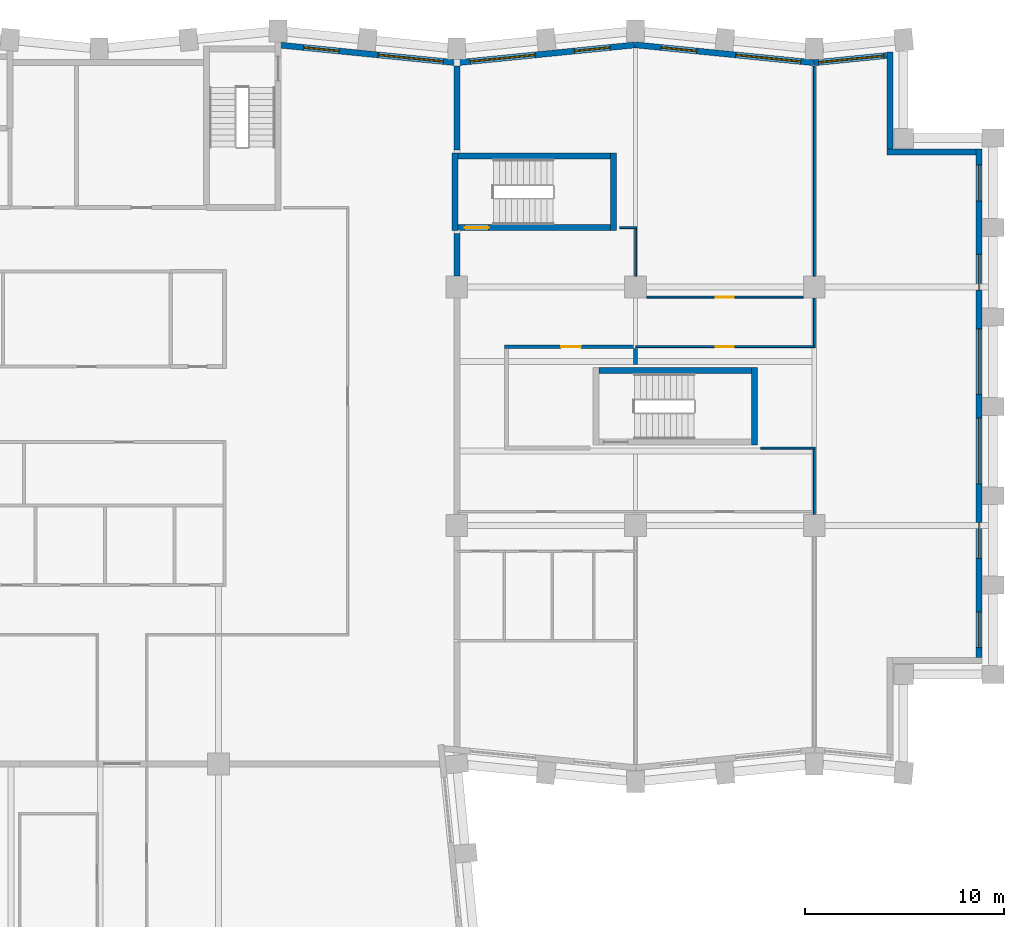
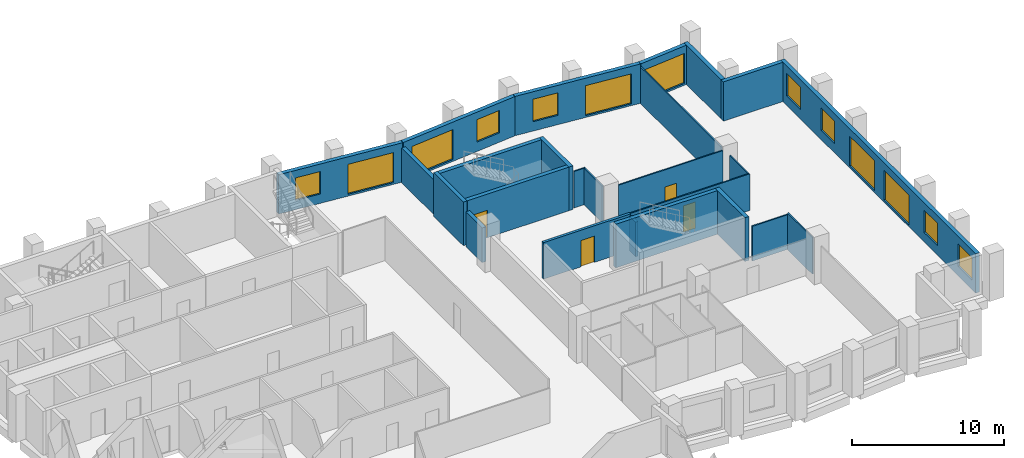
# One storey, part 7 of 10: 25 walls, 13 windows, 4 doors, 17 openings.
"""IFC4 building model written with IfcOpenShell, lengths in metres."""

from ifc_helpers import new_model, si_unit, direction, frame, frame_2d, origin, place, context, subcontext, project, spatial, rectangle, extrude, material, layer, layer_set, type_object, element, fill, save


model = new_model("IFC4")

# Units and contexts
model_context = context("Model", 3, precision=1e-05, world=origin(), true_north=direction((0.0, 1.0)))
body_context = subcontext(model_context, "Body", "Model", "MODEL_VIEW")
ifc_project = project(units=[si_unit("LENGTHUNIT", "METRE"), si_unit("AREAUNIT", "SQUARE_METRE"), si_unit("VOLUMEUNIT", "CUBIC_METRE"), si_unit("PLANEANGLEUNIT", "RADIAN"), si_unit("MASSUNIT", "GRAM", prefix="KILO")], contexts=[model_context])

# Site, building, storey
site_placement = place(None, origin())
site = spatial("IfcSite", under=ifc_project, at=site_placement, CompositionType="ELEMENT")
building_placement = place(site_placement, origin())
building = spatial("IfcBuilding", under=site, at=building_placement, Name="Brondeck Convention Tower", CompositionType="ELEMENT")
storey_placement = place(building_placement, frame((0.0, 0.0, 147.199951171875)))
storey = spatial("IfcBuildingStorey", under=building, at=storey_placement, Name="L35", CompositionType="ELEMENT", Elevation=147.199951171875)

# Walls
ifc_material_1 = material(Name="Concrete compartment wall C30/37", Category="concrete")
ifc_layer_1 = layer(ifc_material_1, 0.300048828125)
ifc_layer_set_1 = layer_set([ifc_layer_1], Name="Compartment wall 300")
wall_type_1 = type_object("IfcWallType", Name="Compartment wall 300", PredefinedType="PARTITIONING", material=ifc_layer_set_1)
wall_1_placement = place(storey_placement, frame((36.0, 51.554931640625, 0.0), z_axis=(0.0, 0.0, 1.0), x_axis=(0.0, 1.0, 0.0)))
element("IfcWall", 1, at=wall_1_placement, inside=storey, type_object=wall_type_1, Name="FLR-L35-W062", PredefinedType="PARTITIONING", context=body_context, shape_type="SweptSolid", body=[
    extrude(rectangle(XDim=2.14501953125, YDim=0.300048828125, at=frame_2d((1.072509765625, 0.0))), origin(), (0.0, 0.0, 1.0), 2.780029296875),
])
wall_2_placement = place(storey_placement, frame((36.0, 57.89990234375, 0.0), z_axis=(0.0, 0.0, 1.0), x_axis=(0.0, 1.0, 0.0)))
element("IfcWall", 2, at=wall_2_placement, inside=storey, type_object=wall_type_1, Name="FLR-L35-W068", PredefinedType="PARTITIONING", context=body_context, shape_type="SweptSolid", body=[
    extrude(rectangle(XDim=4.22607421875, YDim=0.300048828125, at=frame_2d((2.113037109375, 0.0))), origin(), (0.0, 0.0, 1.0), 2.780029296875),
])

# Wall, openings, windows
ifc_material_2 = material(Name="Precast concrete C50/60 bronze finish", Category="concrete")
ifc_layer_2 = layer(ifc_material_2, 0.070068359375, Name="Bronze precast facing")
ifc_material_3 = material(Name="Mineral wool")
ifc_layer_3 = layer(ifc_material_3, 0.159912109375, Name="Insulation")
ifc_material_4 = material(Name="Concrete C35/45", Category="concrete")
ifc_layer_4 = layer(ifc_material_4, 0.070068359375, Name="Backing")
ifc_layer_set_2 = layer_set([ifc_layer_2, ifc_layer_3, ifc_layer_4], Name="External infill wall, precast concrete C50/60 bronze facing")
wall_type_2 = type_object("IfcWallType", Name="External infill wall, precast concrete C50/60 bronze facing", PredefinedType="SOLIDWALL", material=ifc_layer_set_2)
wall_3_placement = place(storey_placement, frame((62.300048828125, 57.949951171875, 0.0), z_axis=(0.0, 0.0, 1.0), x_axis=(0.0, -1.0, 0.0)))
wall_3 = element("IfcWall", 3, at=wall_3_placement, inside=storey, type_object=wall_type_2, Name="ENV-EW-L35-P1-A-E63-01", PredefinedType="SOLIDWALL", context=body_context, shape_type="SweptSolid", body=[
    extrude(rectangle(XDim=25.60205078125, YDim=0.300048828125, at=frame_2d((12.801025390625, 0.0))), origin(), (0.0, 0.0, 1.0), 3.150146484375),
])
opening_1_placement = place(wall_3_placement, frame((0.800048828125, 0.0, 0.75)))
opening_1 = element("IfcOpeningElement", 4, at=opening_1_placement, cuts=wall_3, Name="Opening W10", PredefinedType="OPENING", context=body_context, shape_type="SweptSolid", body=[
    extrude(rectangle(XDim=1.800048828125, YDim=1.800048828125, at=frame_2d((0.89990234375, 0.89990234375))), frame((0.0, 0.159912109375, 0.0), z_axis=(0.0, -1.0, 0.0), x_axis=(1.0, 0.0, 0.0)), (0.0, 0.0, 1.0), 0.320068359375),
])
opening_2_placement = place(wall_3_placement, frame((5.300048828125, 0.0, 0.75)))
opening_2 = element("IfcOpeningElement", 5, at=opening_2_placement, cuts=wall_3, Name="Opening W10", PredefinedType="OPENING", context=body_context, shape_type="SweptSolid", body=[
    extrude(rectangle(XDim=1.800048828125, YDim=1.800048828125, at=frame_2d((0.89990234375, 0.89990234375))), frame((0.0, 0.159912109375, 0.0), z_axis=(0.0, -1.0, 0.0), x_axis=(1.0, 0.0, 0.0)), (0.0, 0.0, 1.0), 0.320068359375),
])
opening_3_placement = place(wall_3_placement, frame((9.050048828125, 0.0, 0.14990234375)))
opening_3 = element("IfcOpeningElement", 6, at=opening_3_placement, cuts=wall_3, Name="Opening W9", PredefinedType="OPENING", context=body_context, shape_type="SweptSolid", body=[
    extrude(rectangle(XDim=3.300048828125, YDim=2.39990234375, at=frame_2d((1.64990234375, 1.199951171875))), frame((0.0, 0.159912109375, 0.0), z_axis=(0.0, -1.0, 0.0), x_axis=(1.0, 0.0, 0.0)), (0.0, 0.0, 1.0), 0.320068359375),
])
opening_4_placement = place(wall_3_placement, frame((13.550048828125, 0.0, 0.14990234375)))
opening_4 = element("IfcOpeningElement", 7, at=opening_4_placement, cuts=wall_3, Name="Opening W9", PredefinedType="OPENING", context=body_context, shape_type="SweptSolid", body=[
    extrude(rectangle(XDim=3.300048828125, YDim=2.39990234375, at=frame_2d((1.64990234375, 1.199951171875))), frame((0.0, 0.159912109375, 0.0), z_axis=(0.0, -1.0, 0.0), x_axis=(1.0, 0.0, 0.0)), (0.0, 0.0, 1.0), 0.320068359375),
])
opening_5_placement = place(wall_3_placement, frame((18.800048828125, 0.0, 0.75)))
opening_5 = element("IfcOpeningElement", 8, at=opening_5_placement, cuts=wall_3, Name="Opening W10", PredefinedType="OPENING", context=body_context, shape_type="SweptSolid", body=[
    extrude(rectangle(XDim=1.800048828125, YDim=1.800048828125, at=frame_2d((0.89990234375, 0.89990234375))), frame((0.0, 0.159912109375, 0.0), z_axis=(0.0, -1.0, 0.0), x_axis=(1.0, 0.0, 0.0)), (0.0, 0.0, 1.0), 0.320068359375),
])
opening_6_placement = place(wall_3_placement, frame((23.300048828125, 0.0, 0.75)))
opening_6 = element("IfcOpeningElement", 9, at=opening_6_placement, cuts=wall_3, Name="Opening W10", PredefinedType="OPENING", context=body_context, shape_type="SweptSolid", body=[
    extrude(rectangle(XDim=1.800048828125, YDim=1.800048828125, at=frame_2d((0.89990234375, 0.89990234375))), frame((0.0, 0.159912109375, 0.0), z_axis=(0.0, -1.0, 0.0), x_axis=(1.0, 0.0, 0.0)), (0.0, 0.0, 1.0), 0.320068359375),
])
ifc_material_5 = material(Name="Bronze tinted double glazing", Category="glass")
window_type_1 = type_object("IfcWindowType", Name="Glazed flute window, bronze tinted", PartitioningType="SINGLE_PANEL", PredefinedType="WINDOW", material=ifc_material_5)
window_1_placement = place(opening_3_placement, origin())
window_1 = element("IfcWindow", 10, at=window_1_placement, inside=storey, type_object=window_type_1, Name="ENV-WN-L35-P1-A-E63-04", OverallHeight=2.39990234375, OverallWidth=3.300048828125, PartitioningType="SINGLE_PANEL", PredefinedType="WINDOW", context=body_context, shape_type="SweptSolid", body=[
    extrude(rectangle(XDim=3.300048828125, YDim=2.39990234375, at=frame_2d((1.64990234375, 1.199951171875))), frame((0.0, 0.030029296875, 0.0), z_axis=(0.0, -1.0, 0.0), x_axis=(1.0, 0.0, 0.0)), (0.0, 0.0, 1.0), 0.06005859375),
])
fill(opening_3, window_1)
window_2_placement = place(opening_4_placement, origin())
window_2 = element("IfcWindow", 11, at=window_2_placement, inside=storey, type_object=window_type_1, Name="ENV-WN-L35-P1-A-E63-03", OverallHeight=2.39990234375, OverallWidth=3.300048828125, PartitioningType="SINGLE_PANEL", PredefinedType="WINDOW", context=body_context, shape_type="SweptSolid", body=[
    extrude(rectangle(XDim=3.300048828125, YDim=2.39990234375, at=frame_2d((1.64990234375, 1.199951171875))), frame((0.0, 0.030029296875, 0.0), z_axis=(0.0, -1.0, 0.0), x_axis=(1.0, 0.0, 0.0)), (0.0, 0.0, 1.0), 0.06005859375),
])
fill(opening_4, window_2)
window_type_2 = type_object("IfcWindowType", Name="Punched window, bronze tinted", PartitioningType="SINGLE_PANEL", PredefinedType="WINDOW", material=ifc_material_5)
window_3_placement = place(opening_1_placement, origin())
window_3 = element("IfcWindow", 12, at=window_3_placement, inside=storey, type_object=window_type_2, Name="ENV-WN-L35-P1-A-E63-06", OverallHeight=1.800048828125, OverallWidth=1.800048828125, PartitioningType="SINGLE_PANEL", PredefinedType="WINDOW", context=body_context, shape_type="SweptSolid", body=[
    extrude(rectangle(XDim=1.800048828125, YDim=1.800048828125, at=frame_2d((0.89990234375, 0.89990234375))), frame((0.0, 0.030029296875, 0.0), z_axis=(0.0, -1.0, 0.0), x_axis=(1.0, 0.0, 0.0)), (0.0, 0.0, 1.0), 0.06005859375),
])
fill(opening_1, window_3)
window_4_placement = place(opening_2_placement, origin())
window_4 = element("IfcWindow", 13, at=window_4_placement, inside=storey, type_object=window_type_2, Name="ENV-WN-L35-P1-A-E63-05", OverallHeight=1.800048828125, OverallWidth=1.800048828125, PartitioningType="SINGLE_PANEL", PredefinedType="WINDOW", context=body_context, shape_type="SweptSolid", body=[
    extrude(rectangle(XDim=1.800048828125, YDim=1.800048828125, at=frame_2d((0.89990234375, 0.89990234375))), frame((0.0, 0.030029296875, 0.0), z_axis=(0.0, -1.0, 0.0), x_axis=(1.0, 0.0, 0.0)), (0.0, 0.0, 1.0), 0.06005859375),
])
fill(opening_2, window_4)
window_5_placement = place(opening_5_placement, origin())
window_5 = element("IfcWindow", 14, at=window_5_placement, inside=storey, type_object=window_type_2, Name="ENV-WN-L35-P1-A-E63-02", OverallHeight=1.800048828125, OverallWidth=1.800048828125, PartitioningType="SINGLE_PANEL", PredefinedType="WINDOW", context=body_context, shape_type="SweptSolid", body=[
    extrude(rectangle(XDim=1.800048828125, YDim=1.800048828125, at=frame_2d((0.89990234375, 0.89990234375))), frame((0.0, 0.030029296875, 0.0), z_axis=(0.0, -1.0, 0.0), x_axis=(1.0, 0.0, 0.0)), (0.0, 0.0, 1.0), 0.06005859375),
])
fill(opening_5, window_5)
window_6_placement = place(opening_6_placement, origin())
window_6 = element("IfcWindow", 15, at=window_6_placement, inside=storey, type_object=window_type_2, Name="ENV-WN-L35-P1-A-E63-01", OverallHeight=1.800048828125, OverallWidth=1.800048828125, PartitioningType="SINGLE_PANEL", PredefinedType="WINDOW", context=body_context, shape_type="SweptSolid", body=[
    extrude(rectangle(XDim=1.800048828125, YDim=1.800048828125, at=frame_2d((0.89990234375, 0.89990234375))), frame((0.0, 0.030029296875, 0.0), z_axis=(0.0, -1.0, 0.0), x_axis=(1.0, 0.0, 0.0)), (0.0, 0.0, 1.0), 0.06005859375),
])
fill(opening_6, window_6)

# Walls
wall_4_placement = place(storey_placement, frame((57.64990234375, 57.800048828125, 0.0), z_axis=(0.0, 0.0, 1.0), x_axis=(1.0, 0.0, 0.0)))
element("IfcWall", 16, at=wall_4_placement, inside=storey, type_object=wall_type_2, Name="ENV-EW-L35-P1-NC-NEA63-01", PredefinedType="SOLIDWALL", context=body_context, shape_type="SweptSolid", body=[
    extrude(rectangle(XDim=4.502197265625, YDim=0.300048828125, at=frame_2d((2.2509765625, 0.0))), origin(), (0.0, 0.0, 1.0), 3.150146484375),
])
wall_5_placement = place(storey_placement, frame((57.800048828125, 62.84228515625, 0.0), z_axis=(0.0, 0.0, 1.0), x_axis=(0.0, -1.0, 0.0)))
element("IfcWall", 17, at=wall_5_placement, inside=storey, type_object=wall_type_2, Name="ENV-EW-L35-P1-NC-NEA63-02", PredefinedType="SOLIDWALL", context=body_context, shape_type="SweptSolid", body=[
    extrude(rectangle(XDim=4.894287109375, YDim=0.300048828125, at=frame_2d((2.447265625, 0.0))), origin(), (0.0, 0.0, 1.0), 3.150146484375),
])

# Wall, opening, window
wall_6_placement = place(storey_placement, frame((53.985107421875, 62.294921875, 0.0), z_axis=(0.0, 0.0, 1.0), x_axis=(0.99503719021, 0.099503719021, 0.0)))
wall_6 = element("IfcWall", 18, at=wall_6_placement, inside=storey, type_object=wall_type_2, Name="ENV-EW-L35-P1-A-N-12", PredefinedType="SOLIDWALL", context=body_context, shape_type="SweptSolid", body=[
    extrude(rectangle(XDim=3.677978515625, YDim=0.300048828125, at=frame_2d((1.8388671875, 0.0))), origin(), (0.0, 0.0, 1.0), 3.150146484375),
])
opening_7_placement = place(wall_6_placement, frame((0.22802734375, 0.0, 0.14990234375)))
opening_7 = element("IfcOpeningElement", 19, at=opening_7_placement, cuts=wall_6, Name="Opening W9", PredefinedType="OPENING", context=body_context, shape_type="SweptSolid", body=[
    extrude(rectangle(XDim=3.300048828125, YDim=2.39990234375, at=frame_2d((1.64990234375, 1.199951171875))), frame((0.0, 0.159912109375, 0.0), z_axis=(0.0, -1.0, 0.0), x_axis=(1.0, 0.0, 0.0)), (0.0, 0.0, 1.0), 0.320068359375),
])
window_7_placement = place(opening_7_placement, origin())
window_7 = element("IfcWindow", 20, at=window_7_placement, inside=storey, type_object=window_type_1, Name="ENV-WN-L35-P1-A-N-12", OverallHeight=2.39990234375, OverallWidth=3.300048828125, PartitioningType="SINGLE_PANEL", PredefinedType="WINDOW", context=body_context, shape_type="SweptSolid", body=[
    extrude(rectangle(XDim=3.300048828125, YDim=2.39990234375, at=frame_2d((1.64990234375, 1.199951171875))), frame((0.0, 0.030029296875, 0.0), z_axis=(0.0, -1.0, 0.0), x_axis=(1.0, 0.0, 0.0)), (0.0, 0.0, 1.0), 0.06005859375),
])
fill(opening_7, window_7)

# Wall, openings, windows
wall_7_placement = place(storey_placement, frame((44.985107421875, 63.197998046875, 0.0), z_axis=(0.0, 0.0, 1.0), x_axis=(0.995037993253, -0.099495688264, 0.0)))
wall_7 = element("IfcWall", 21, at=wall_7_placement, inside=storey, type_object=wall_type_2, Name="ENV-EW-L35-P1-A-N-11", PredefinedType="SOLIDWALL", context=body_context, shape_type="SweptSolid", body=[
    extrude(rectangle(XDim=9.030029296875, YDim=0.300048828125, at=frame_2d((4.51513671875, 0.0))), origin(), (0.0, 0.0, 1.0), 3.150146484375),
])
opening_8_placement = place(wall_7_placement, frame((1.30615234375, 0.0, 0.75)))
opening_8 = element("IfcOpeningElement", 22, at=opening_8_placement, cuts=wall_7, Name="Opening W10", PredefinedType="OPENING", context=body_context, shape_type="SweptSolid", body=[
    extrude(rectangle(XDim=1.800048828125, YDim=1.800048828125, at=frame_2d((0.89990234375, 0.89990234375))), frame((0.0, 0.159912109375, 0.0), z_axis=(0.0, -1.0, 0.0), x_axis=(1.0, 0.0, 0.0)), (0.0, 0.0, 1.0), 0.320068359375),
])
opening_9_placement = place(wall_7_placement, frame((5.07861328125, 0.0, 0.14990234375)))
opening_9 = element("IfcOpeningElement", 23, at=opening_9_placement, cuts=wall_7, Name="Opening W9", PredefinedType="OPENING", context=body_context, shape_type="SweptSolid", body=[
    extrude(rectangle(XDim=3.300048828125, YDim=2.39990234375, at=frame_2d((1.64990234375, 1.199951171875))), frame((0.0, 0.159912109375, 0.0), z_axis=(0.0, -1.0, 0.0), x_axis=(1.0, 0.0, 0.0)), (0.0, 0.0, 1.0), 0.320068359375),
])
window_8_placement = place(opening_9_placement, origin())
window_8 = element("IfcWindow", 24, at=window_8_placement, inside=storey, type_object=window_type_1, Name="ENV-WN-L35-P1-A-N-11", OverallHeight=2.39990234375, OverallWidth=3.300048828125, PartitioningType="SINGLE_PANEL", PredefinedType="WINDOW", context=body_context, shape_type="SweptSolid", body=[
    extrude(rectangle(XDim=3.300048828125, YDim=2.39990234375, at=frame_2d((1.64990234375, 1.199951171875))), frame((0.0, 0.030029296875, 0.0), z_axis=(0.0, -1.0, 0.0), x_axis=(1.0, 0.0, 0.0)), (0.0, 0.0, 1.0), 0.06005859375),
])
fill(opening_9, window_8)
window_9_placement = place(opening_8_placement, origin())
window_9 = element("IfcWindow", 25, at=window_9_placement, inside=storey, type_object=window_type_2, Name="ENV-WN-L35-P1-A-N-10", OverallHeight=1.800048828125, OverallWidth=1.800048828125, PartitioningType="SINGLE_PANEL", PredefinedType="WINDOW", context=body_context, shape_type="SweptSolid", body=[
    extrude(rectangle(XDim=1.800048828125, YDim=1.800048828125, at=frame_2d((0.89990234375, 0.89990234375))), frame((0.0, 0.030029296875, 0.0), z_axis=(0.0, -1.0, 0.0), x_axis=(1.0, 0.0, 0.0)), (0.0, 0.0, 1.0), 0.06005859375),
])
fill(opening_8, window_9)

wall_8_placement = place(storey_placement, frame((35.985107421875, 62.294921875, 0.0), z_axis=(0.0, 0.0, 1.0), x_axis=(0.995035316196, 0.099522457379, 0.0)))
wall_8 = element("IfcWall", 26, at=wall_8_placement, inside=storey, type_object=wall_type_2, Name="ENV-EW-L35-P1-A-N-09", PredefinedType="SOLIDWALL", context=body_context, shape_type="SweptSolid", body=[
    extrude(rectangle(XDim=9.030029296875, YDim=0.300048828125, at=frame_2d((4.51513671875, 0.0))), origin(), (0.0, 0.0, 1.0), 3.150146484375),
])
opening_10_placement = place(wall_8_placement, frame((0.6962890625, 0.0, 0.14990234375)))
opening_10 = element("IfcOpeningElement", 27, at=opening_10_placement, cuts=wall_8, Name="Opening W9", PredefinedType="OPENING", context=body_context, shape_type="SweptSolid", body=[
    extrude(rectangle(XDim=3.300048828125, YDim=2.39990234375, at=frame_2d((1.64990234375, 1.199951171875))), frame((0.0, 0.159912109375, 0.0), z_axis=(0.0, -1.0, 0.0), x_axis=(1.0, 0.0, 0.0)), (0.0, 0.0, 1.0), 0.320068359375),
])
opening_11_placement = place(wall_8_placement, frame((5.968505859375, 0.0, 0.75)))
opening_11 = element("IfcOpeningElement", 28, at=opening_11_placement, cuts=wall_8, Name="Opening W10", PredefinedType="OPENING", context=body_context, shape_type="SweptSolid", body=[
    extrude(rectangle(XDim=1.800048828125, YDim=1.800048828125, at=frame_2d((0.89990234375, 0.89990234375))), frame((0.0, 0.159912109375, 0.0), z_axis=(0.0, -1.0, 0.0), x_axis=(1.0, 0.0, 0.0)), (0.0, 0.0, 1.0), 0.320068359375),
])
window_10_placement = place(opening_10_placement, origin())
window_10 = element("IfcWindow", 29, at=window_10_placement, inside=storey, type_object=window_type_1, Name="ENV-WN-L35-P1-A-N-08", OverallHeight=2.39990234375, OverallWidth=3.300048828125, PartitioningType="SINGLE_PANEL", PredefinedType="WINDOW", context=body_context, shape_type="SweptSolid", body=[
    extrude(rectangle(XDim=3.300048828125, YDim=2.39990234375, at=frame_2d((1.64990234375, 1.199951171875))), frame((0.0, 0.030029296875, 0.0), z_axis=(0.0, -1.0, 0.0), x_axis=(1.0, 0.0, 0.0)), (0.0, 0.0, 1.0), 0.06005859375),
])
fill(opening_10, window_10)
window_11_placement = place(opening_11_placement, origin())
window_11 = element("IfcWindow", 30, at=window_11_placement, inside=storey, type_object=window_type_2, Name="ENV-WN-L35-P1-A-N-09", OverallHeight=1.800048828125, OverallWidth=1.800048828125, PartitioningType="SINGLE_PANEL", PredefinedType="WINDOW", context=body_context, shape_type="SweptSolid", body=[
    extrude(rectangle(XDim=1.800048828125, YDim=1.800048828125, at=frame_2d((0.89990234375, 0.89990234375))), frame((0.0, 0.030029296875, 0.0), z_axis=(0.0, -1.0, 0.0), x_axis=(1.0, 0.0, 0.0)), (0.0, 0.0, 1.0), 0.06005859375),
])
fill(opening_11, window_11)

wall_9_placement = place(storey_placement, frame((27.07958984375, 63.188720703125, 0.0), z_axis=(0.0, 0.0, 1.0), x_axis=(0.995036108007, -0.099514540459, 0.0)))
wall_9 = element("IfcWall", 31, at=wall_9_placement, inside=storey, type_object=wall_type_2, Name="ENV-EW-L35-P1-A-N-07", PredefinedType="SOLIDWALL", context=body_context, shape_type="SweptSolid", body=[
    extrude(rectangle(XDim=8.93505859375, YDim=0.300048828125, at=frame_2d((4.467529296875, 0.0))), origin(), (0.0, 0.0, 1.0), 3.150146484375),
])
opening_12_placement = place(wall_9_placement, frame((1.211181640625, 0.0, 0.75)))
opening_12 = element("IfcOpeningElement", 32, at=opening_12_placement, cuts=wall_9, Name="Opening W10", PredefinedType="OPENING", context=body_context, shape_type="SweptSolid", body=[
    extrude(rectangle(XDim=1.800048828125, YDim=1.800048828125, at=frame_2d((0.89990234375, 0.89990234375))), frame((0.0, 0.159912109375, 0.0), z_axis=(0.0, -1.0, 0.0), x_axis=(1.0, 0.0, 0.0)), (0.0, 0.0, 1.0), 0.320068359375),
])
opening_13_placement = place(wall_9_placement, frame((4.983642578125, 0.0, 0.14990234375)))
opening_13 = element("IfcOpeningElement", 33, at=opening_13_placement, cuts=wall_9, Name="Opening W9", PredefinedType="OPENING", context=body_context, shape_type="SweptSolid", body=[
    extrude(rectangle(XDim=3.300048828125, YDim=2.39990234375, at=frame_2d((1.64990234375, 1.199951171875))), frame((0.0, 0.159912109375, 0.0), z_axis=(0.0, -1.0, 0.0), x_axis=(1.0, 0.0, 0.0)), (0.0, 0.0, 1.0), 0.320068359375),
])
window_12_placement = place(opening_13_placement, origin())
window_12 = element("IfcWindow", 34, at=window_12_placement, inside=storey, type_object=window_type_1, Name="ENV-WN-L35-P1-A-N-07", OverallHeight=2.39990234375, OverallWidth=3.300048828125, PartitioningType="SINGLE_PANEL", PredefinedType="WINDOW", context=body_context, shape_type="SweptSolid", body=[
    extrude(rectangle(XDim=3.300048828125, YDim=2.39990234375, at=frame_2d((1.64990234375, 1.199951171875))), frame((0.0, 0.030029296875, 0.0), z_axis=(0.0, -1.0, 0.0), x_axis=(1.0, 0.0, 0.0)), (0.0, 0.0, 1.0), 0.06005859375),
])
fill(opening_13, window_12)
window_13_placement = place(opening_12_placement, origin())
window_13 = element("IfcWindow", 35, at=window_13_placement, inside=storey, type_object=window_type_2, Name="ENV-WN-L35-P1-A-N-06", OverallHeight=1.800048828125, OverallWidth=1.800048828125, PartitioningType="SINGLE_PANEL", PredefinedType="WINDOW", context=body_context, shape_type="SweptSolid", body=[
    extrude(rectangle(XDim=1.800048828125, YDim=1.800048828125, at=frame_2d((0.89990234375, 0.89990234375))), frame((0.0, 0.030029296875, 0.0), z_axis=(0.0, -1.0, 0.0), x_axis=(1.0, 0.0, 0.0)), (0.0, 0.0, 1.0), 0.06005859375),
])
fill(opening_12, window_13)

# Wall
ifc_material_6 = material(Name="Concrete block wall C16/20", Category="concrete")
ifc_layer_5 = layer(ifc_material_6, 0.199951171875)
ifc_layer_set_3 = layer_set([ifc_layer_5], Name="Plant room wall 200")
wall_type_3 = type_object("IfcWallType", Name="Plant room wall 200", PredefinedType="PARTITIONING", material=ifc_layer_set_3)
wall_10_placement = place(storey_placement, frame((45.0, 47.89990234375, 0.0), z_axis=(0.0, 0.0, 1.0), x_axis=(0.0, -1.0, 0.0)))
element("IfcWall", 36, at=wall_10_placement, inside=storey, type_object=wall_type_3, Name="FLR-L35-W057", PredefinedType="PARTITIONING", context=body_context, shape_type="SweptSolid", body=[
    extrude(rectangle(XDim=0.7998046875, YDim=0.199951171875, at=frame_2d((0.39990234375, 0.0))), origin(), (0.0, 0.0, 1.0), 2.780029296875),
])

# Wall, opening, door
wall_11_placement = place(storey_placement, frame((45.0, 48.0, 0.0), z_axis=(0.0, 0.0, 1.0), x_axis=(-1.0, 0.0, 0.0)))
wall_11 = element("IfcWall", 37, at=wall_11_placement, inside=storey, type_object=wall_type_3, Name="FLR-L35-W058", PredefinedType="PARTITIONING", context=body_context, shape_type="SweptSolid", body=[
    extrude(rectangle(XDim=6.60009765625, YDim=0.199951171875, at=frame_2d((3.300048828125, 0.0))), origin(), (0.0, 0.0, 1.0), 2.929931640625),
])
opening_14_placement = place(wall_11_placement, frame((2.75, 0.0, 0.0)))
opening_14 = element("IfcOpeningElement", 38, at=opening_14_placement, cuts=wall_11, Name="Opening OF-F2-002", PredefinedType="OPENING", context=body_context, shape_type="SweptSolid", body=[
    extrude(rectangle(XDim=1.0, YDim=2.10009765625, at=frame_2d((0.5, 1.050048828125))), frame((0.0, 0.10986328125, 0.0), z_axis=(0.0, -1.0, 0.0), x_axis=(1.0, 0.0, 0.0)), (0.0, 0.0, 1.0), 0.219970703125),
])
ifc_material_7 = material(Name="Steel fire door leaf", Category="steel")
door_type_1 = type_object("IfcDoorType", Name="Plant room door 1000", OperationType="NOTDEFINED", PredefinedType="DOOR", material=ifc_material_7)
door_1_placement = place(opening_14_placement, origin())
door_1 = element("IfcDoor", 39, at=door_1_placement, inside=storey, type_object=door_type_1, Name="Door OF-F2-002", OperationType="SINGLE_SWING_RIGHT", OverallHeight=2.10009765625, OverallWidth=1.0, PredefinedType="DOOR", context=body_context, shape_type="SweptSolid", body=[
    extrude(rectangle(XDim=1.0, YDim=2.10009765625, at=frame_2d((0.5, 1.050048828125))), frame((0.0, 0.02490234375, 0.0), z_axis=(0.0, -1.0, 0.0), x_axis=(1.0, 0.0, 0.0)), (0.0, 0.0, 1.0), 0.050048828125),
])
fill(opening_14, door_1)

# Walls
ifc_material_8 = material(Name="Gypsum board partition on steel studs", Category="steel")
ifc_layer_6 = layer(ifc_material_8, 0.10009765625)
ifc_layer_set_4 = layer_set([ifc_layer_6], Name="Room partition 100")
wall_type_4 = type_object("IfcWallType", Name="Room partition 100", PredefinedType="PARTITIONING", material=ifc_layer_set_4)
wall_12_placement = place(storey_placement, frame((54.0, 42.85009765625, 0.0), z_axis=(0.0, 0.0, 1.0), x_axis=(0.0, -1.0, 0.0)))
element("IfcWall", 40, at=wall_12_placement, inside=storey, type_object=wall_type_4, Name="FLR-L35-W053", PredefinedType="PARTITIONING", context=body_context, shape_type="SweptSolid", body=[
    extrude(rectangle(XDim=3.280029296875, YDim=0.10009765625, at=frame_2d((1.64013671875, 0.0))), origin(), (0.0, 0.0, 1.0), 2.929931640625),
])
wall_13_placement = place(storey_placement, frame((51.300048828125, 42.89990234375, 0.0), z_axis=(0.0, 0.0, 1.0), x_axis=(1.0, 0.0, 0.0)))
element("IfcWall", 41, at=wall_13_placement, inside=storey, type_object=wall_type_4, Name="FLR-L35-W055", PredefinedType="PARTITIONING", context=body_context, shape_type="SweptSolid", body=[
    extrude(rectangle(XDim=2.75, YDim=0.10009765625, at=frame_2d((1.375, 0.0))), origin(), (0.0, 0.0, 1.0), 2.780029296875),
])

# Wall, opening, door
wall_14_placement = place(storey_placement, frame((54.050048828125, 48.0, 0.0), z_axis=(0.0, 0.0, 1.0), x_axis=(-1.0, 0.0, 0.0)))
wall_14 = element("IfcWall", 42, at=wall_14_placement, inside=storey, type_object=wall_type_4, Name="FLR-L35-W059", PredefinedType="PARTITIONING", context=body_context, shape_type="SweptSolid", body=[
    extrude(rectangle(XDim=9.050048828125, YDim=0.10009765625, at=frame_2d((4.52490234375, 0.0))), origin(), (0.0, 0.0, 1.0), 2.929931640625),
])
opening_15_placement = place(wall_14_placement, frame((4.10009765625, 0.0, 0.0)))
opening_15 = element("IfcOpeningElement", 43, at=opening_15_placement, cuts=wall_14, Name="Opening OF-F2-005", PredefinedType="OPENING", context=body_context, shape_type="SweptSolid", body=[
    extrude(rectangle(XDim=0.89990234375, YDim=2.10009765625, at=frame_2d((0.449951171875, 1.050048828125))), frame((0.0, 0.06005859375, 0.0), z_axis=(0.0, -1.0, 0.0), x_axis=(1.0, 0.0, 0.0)), (0.0, 0.0, 1.0), 0.1201171875),
])
ifc_material_9 = material(Name="Solid timber door leaf", Category="wood")
door_type_2 = type_object("IfcDoorType", Name="Single door 900", OperationType="NOTDEFINED", PredefinedType="DOOR", material=ifc_material_9)
door_2_placement = place(opening_15_placement, origin())
door_2 = element("IfcDoor", 44, at=door_2_placement, inside=storey, type_object=door_type_2, Name="Door OF-F2-005", OperationType="SINGLE_SWING_RIGHT", OverallHeight=2.10009765625, OverallWidth=0.89990234375, PredefinedType="DOOR", context=body_context, shape_type="SweptSolid", body=[
    extrude(rectangle(XDim=0.89990234375, YDim=2.10009765625, at=frame_2d((0.449951171875, 1.050048828125))), frame((0.0, 0.02490234375, 0.0), z_axis=(0.0, -1.0, 0.0), x_axis=(1.0, 0.0, 0.0)), (0.0, 0.0, 1.0), 0.050048828125),
])
fill(opening_15, door_2)

# Wall
wall_15_placement = place(storey_placement, frame((54.0, 50.445068359375, 0.0), z_axis=(0.0, 0.0, 1.0), x_axis=(0.0, -1.0, 0.0)))
element("IfcWall", 45, at=wall_15_placement, inside=storey, type_object=wall_type_4, Name="FLR-L35-W060", PredefinedType="PARTITIONING", context=body_context, shape_type="SweptSolid", body=[
    extrude(rectangle(XDim=2.39501953125, YDim=0.10009765625, at=frame_2d((1.197509765625, 0.0))), origin(), (0.0, 0.0, 1.0), 2.929931640625),
])

# Wall, opening, door
wall_16_placement = place(storey_placement, frame((45.554931640625, 50.5, 0.0), z_axis=(0.0, 0.0, 1.0), x_axis=(1.0, 0.0, 0.0)))
wall_16 = element("IfcWall", 46, at=wall_16_placement, inside=storey, type_object=wall_type_4, Name="FLR-L35-W061", PredefinedType="PARTITIONING", context=body_context, shape_type="SweptSolid", body=[
    extrude(rectangle(XDim=7.89013671875, YDim=0.10009765625, at=frame_2d((3.945068359375, 0.0))), origin(), (0.0, 0.0, 1.0), 3.47998046875),
])
opening_16_placement = place(wall_16_placement, frame((3.4951171875, 0.0, 0.0)))
opening_16 = element("IfcOpeningElement", 47, at=opening_16_placement, cuts=wall_16, Name="Opening OF-F2-012", PredefinedType="OPENING", context=body_context, shape_type="SweptSolid", body=[
    extrude(rectangle(XDim=0.89990234375, YDim=2.10009765625, at=frame_2d((0.449951171875, 1.050048828125))), frame((0.0, 0.06005859375, 0.0), z_axis=(0.0, -1.0, 0.0), x_axis=(1.0, 0.0, 0.0)), (0.0, 0.0, 1.0), 0.1201171875),
])
door_3_placement = place(opening_16_placement, origin())
door_3 = element("IfcDoor", 48, at=door_3_placement, inside=storey, type_object=door_type_2, Name="Door OF-F2-012", OperationType="SINGLE_SWING_LEFT", OverallHeight=2.10009765625, OverallWidth=0.89990234375, PredefinedType="DOOR", context=body_context, shape_type="SweptSolid", body=[
    extrude(rectangle(XDim=0.89990234375, YDim=2.10009765625, at=frame_2d((0.449951171875, 1.050048828125))), frame((0.0, 0.02490234375, 0.0), z_axis=(0.0, -1.0, 0.0), x_axis=(1.0, 0.0, 0.0)), (0.0, 0.0, 1.0), 0.050048828125),
])
fill(opening_16, door_3)

# Walls
wall_17_placement = place(storey_placement, frame((54.0, 51.554931640625, 0.0), z_axis=(0.0, 0.0, 1.0), x_axis=(0.0, 1.0, 0.0)))
element("IfcWall", 49, at=wall_17_placement, inside=storey, type_object=wall_type_4, Name="FLR-L35-W063", PredefinedType="PARTITIONING", context=body_context, shape_type="SweptSolid", body=[
    extrude(rectangle(XDim=10.57080078125, YDim=0.10009765625, at=frame_2d((5.285400390625, 0.0))), origin(), (0.0, 0.0, 1.0), 2.929931640625),
])
wall_18_placement = place(storey_placement, frame((45.0, 53.949951171875, 0.0), z_axis=(0.0, 0.0, 1.0), x_axis=(0.0, -1.0, 0.0)))
element("IfcWall", 50, at=wall_18_placement, inside=storey, type_object=wall_type_4, Name="FLR-L35-W064", PredefinedType="PARTITIONING", context=body_context, shape_type="SweptSolid", body=[
    extrude(rectangle(XDim=2.39501953125, YDim=0.10009765625, at=frame_2d((1.197509765625, 0.0))), origin(), (0.0, 0.0, 1.0), 2.929931640625),
])
wall_19_placement = place(storey_placement, frame((44.199951171875, 54.0, 0.0), z_axis=(0.0, 0.0, 1.0), x_axis=(1.0, 0.0, 0.0)))
element("IfcWall", 51, at=wall_19_placement, inside=storey, type_object=wall_type_4, Name="FLR-L35-W065", PredefinedType="PARTITIONING", context=body_context, shape_type="SweptSolid", body=[
    extrude(rectangle(XDim=0.85009765625, YDim=0.10009765625, at=frame_2d((0.425048828125, 0.0))), origin(), (0.0, 0.0, 1.0), 2.929931640625),
])
ifc_material_10 = material(Name="Concrete C70/85", Category="concrete")
ifc_layer_7 = layer(ifc_material_10, 0.300048828125)
ifc_layer_set_5 = layer_set([ifc_layer_7], Name="Stair enclosure wall 300 Concrete C70/85")
wall_type_5 = type_object("IfcWallType", Name="Stair enclosure wall 300 Concrete C70/85", PredefinedType="SHEAR", material=ifc_layer_set_5)
wall_20_placement = place(storey_placement, frame((43.14990234375, 46.800048828125, 0.0), z_axis=(0.0, 0.0, 1.0), x_axis=(1.0, 0.0, 0.0)))
element("IfcWall", 52, at=wall_20_placement, inside=storey, type_object=wall_type_5, Name="L35 core wall", PredefinedType="SHEAR", context=body_context, shape_type="SweptSolid", body=[
    extrude(rectangle(XDim=7.7001953125, YDim=0.300048828125, at=frame_2d((3.85009765625, 0.0))), origin(), (0.0, 0.0, 1.0), 3.5),
])

# Wall, opening, door
wall_21_placement = place(storey_placement, frame((36.050048828125, 54.0, 0.0), z_axis=(0.0, 0.0, 1.0), x_axis=(1.0, 0.0, 0.0)))
wall_21 = element("IfcWall", 53, at=wall_21_placement, inside=storey, type_object=wall_type_5, Name="L35 core wall", PredefinedType="SHEAR", context=body_context, shape_type="SweptSolid", body=[
    extrude(rectangle(XDim=7.699951171875, YDim=0.300048828125, at=frame_2d((3.85009765625, 0.0))), origin(), (0.0, 0.0, 1.0), 3.5),
])
opening_17_placement = place(wall_21_placement, frame((0.35009765625, 0.0, 0.0)))
opening_17 = element("IfcOpeningElement", 54, at=opening_17_placement, cuts=wall_21, Name="Opening C21-17", PredefinedType="OPENING", context=body_context, shape_type="SweptSolid", body=[
    extrude(rectangle(XDim=1.199951171875, YDim=2.199951171875, at=frame_2d((0.60009765625, 1.10009765625))), frame((0.0, 0.159912109375, 0.0), z_axis=(0.0, -1.0, 0.0), x_axis=(1.0, 0.0, 0.0)), (0.0, 0.0, 1.0), 0.320068359375),
])
ifc_material_11 = material(Name="Steel fire door", Category="steel")
door_type_3 = type_object("IfcDoorType", Name="Stair door 1200x2200 EI 90", OperationType="NOTDEFINED", PredefinedType="DOOR", material=ifc_material_11)
door_4_placement = place(opening_17_placement, origin())
door_4 = element("IfcDoor", 55, at=door_4_placement, inside=storey, type_object=door_type_3, Name="L35 Stair door ST-AE", OperationType="SINGLE_SWING_LEFT", OverallHeight=2.199951171875, OverallWidth=1.199951171875, PredefinedType="DOOR", context=body_context, shape_type="SweptSolid", body=[
    extrude(rectangle(XDim=1.199951171875, YDim=2.199951171875, at=frame_2d((0.60009765625, 1.10009765625))), frame((0.0, 0.02490234375, 0.0), z_axis=(0.0, -1.0, 0.0), x_axis=(1.0, 0.0, 0.0)), (0.0, 0.0, 1.0), 0.050048828125),
])
fill(opening_17, door_4)

# Walls
wall_22_placement = place(storey_placement, frame((36.050048828125, 57.60009765625, 0.0), z_axis=(0.0, 0.0, 1.0), x_axis=(1.0, 0.0, 0.0)))
element("IfcWall", 56, at=wall_22_placement, inside=storey, type_object=wall_type_5, Name="L35 core wall", PredefinedType="SHEAR", context=body_context, shape_type="SweptSolid", body=[
    extrude(rectangle(XDim=7.699951171875, YDim=0.300048828125, at=frame_2d((3.85009765625, 0.0))), origin(), (0.0, 0.0, 1.0), 3.5),
])
for number, where, z_axis, x_axis, name in (
    (57, (35.89990234375, 53.85009765625, 0.0), (0.0, 0.0, 1.0), (0.0, 1.0, 0.0), "L35 core wall"),
    (58, (43.89990234375, 53.85009765625, 0.0), (0.0, 0.0, 1.0), (0.0, 1.0, 0.0), "L35 core wall"),
    (59, (51.0, 43.050048828125, 0.0), (0.0, 0.0, 1.0), (0.0, 1.0, 0.0), "L35 core wall"),
):
    element("IfcWall", number, at=place(storey_placement, frame(where, z_axis=z_axis, x_axis=x_axis)), inside=storey, type_object=wall_type_5, Name=name, PredefinedType="SHEAR", context=body_context, shape_type="SweptSolid", body=[
        extrude(rectangle(XDim=3.89990234375, YDim=0.300048828125, at=frame_2d((1.949951171875, 0.0))), origin(), (0.0, 0.0, 1.0), 3.5),
    ])

save(model, "model.ifc")
